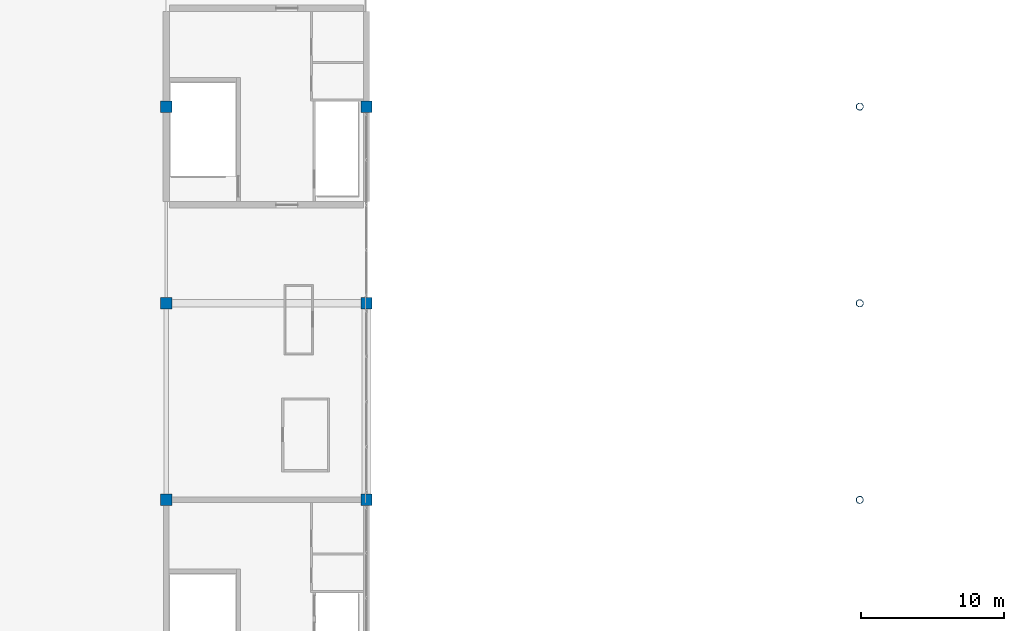
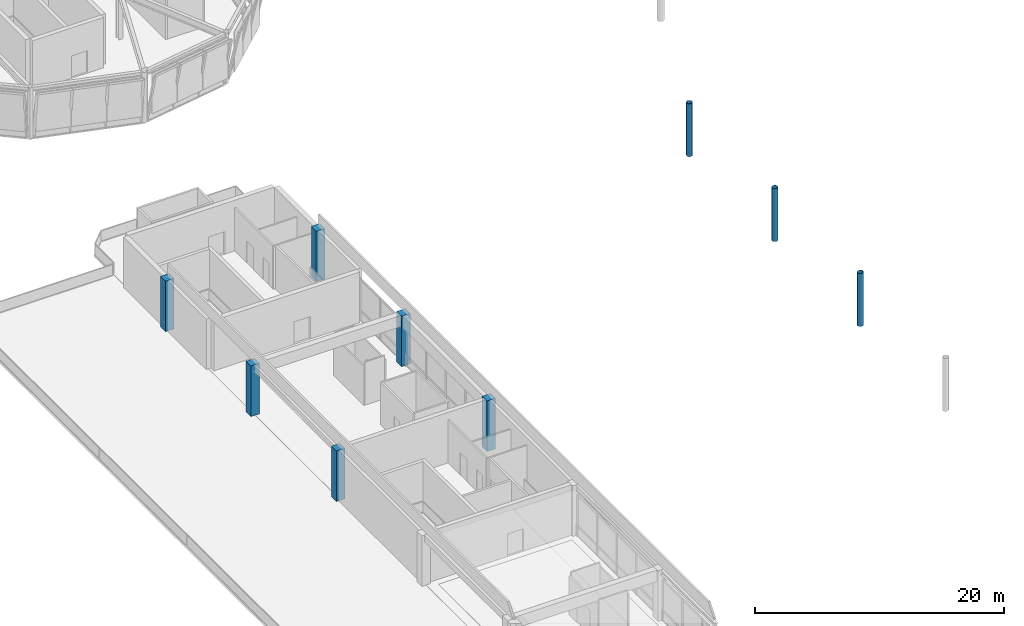
# One storey, part 3 of 113: 9 columns.
"""IFC4 building model written with IfcOpenShell, lengths in metres."""

from ifc_helpers import new_model, si_unit, direction, frame, origin, origin_2d, place, context, subcontext, project, spatial, rectangle, hollow_circle, extrude, material, material_profile, profile_set, type_object, element, save


model = new_model("IFC4")

# Units and contexts
model_context = context("Model", 3, precision=1e-05, world=origin(), true_north=direction((0.0, 1.0)))
body_context = subcontext(model_context, "Body", "Model", "MODEL_VIEW")
ifc_project = project(units=[si_unit("LENGTHUNIT", "METRE"), si_unit("AREAUNIT", "SQUARE_METRE"), si_unit("VOLUMEUNIT", "CUBIC_METRE"), si_unit("PLANEANGLEUNIT", "RADIAN"), si_unit("MASSUNIT", "GRAM", prefix="KILO")], contexts=[model_context])

# Site, building, storey
site_placement = place(None, origin())
site = spatial("IfcSite", under=ifc_project, at=site_placement, CompositionType="ELEMENT")
building_placement = place(site_placement, origin())
building = spatial("IfcBuilding", under=site, at=building_placement, Name="Linyun Crest Stadium", CompositionType="ELEMENT")
storey_placement = place(building_placement, frame((0.0, 0.0, 26.39990234375)))
storey = spatial("IfcBuildingStorey", under=building, at=storey_placement, Name="L06", CompositionType="ELEMENT", Elevation=26.39990234375)

# Columns
ifc_material_1 = material(Name="Concrete C50", Category="concrete")
ifc_material_profile_1 = material_profile(ifc_material_1, rectangle(XDim=0.800048828125, YDim=0.800048828125, at=origin_2d()), Name="RC 800x800")
ifc_profile_set_1 = profile_set([ifc_material_profile_1], Name="Concrete C50")
column_type_1 = type_object("IfcColumnType", Name="C03", PredefinedType="COLUMN", material=ifc_profile_set_1)
for number, where, z_axis, x_axis, name in (
    (1, (-84.0, 15.875, 0.0), (0.0, 0.0, 1.0), (1.0, 0.0, 0.0), "Column C03 L06 90"),
    (2, (-84.0, 29.625, 0.0), (0.0, 0.0, 1.0), (1.0, 0.0, 0.0), "Column C03 L06 97"),
    (3, (-84.0, 43.375, 0.0), (0.0, 0.0, 1.0), (1.0, 0.0, 0.0), "Column C03 L06 104"),
    (4, (-70.0, 15.875, 0.0), (0.0, 0.0, 1.0), (1.0, 0.0, 0.0), "Column C03 L06 186"),
    (5, (-70.0, 29.625, 0.0), (0.0, 0.0, 1.0), (1.0, 0.0, 0.0), "Column C03 L06 193"),
    (6, (-70.0, 43.375, 0.0), (0.0, 0.0, 1.0), (1.0, 0.0, 0.0), "Column C03 L06 200"),
):
    element("IfcColumn", number, at=place(storey_placement, frame(where, z_axis=z_axis, x_axis=x_axis)), inside=storey, type_object=column_type_1, Name=name, PredefinedType="COLUMN", context=body_context, shape_type="SweptSolid", body=[
        extrude(rectangle(XDim=0.800048828125, YDim=0.800048828125, at=origin_2d()), origin(), (0.0, 0.0, 1.0), 4.965087890625),
    ])
ifc_material_2 = material(Name="Steel Q355C", Category="steel")
ifc_material_profile_2 = material_profile(ifc_material_2, hollow_circle(Radius=0.25390625, WallThickness=0.02490234375, at=origin_2d()), Name="CHS 508x25")
ifc_profile_set_2 = profile_set([ifc_material_profile_2], Name="Steel Q355C")
column_type_2 = type_object("IfcColumnType", Name="SC05", PredefinedType="COLUMN", material=ifc_profile_set_2)
for number, where, z_axis, x_axis, name in (
    (7, (-35.5, 15.875, 0.0), (0.0, 0.0, 1.0), (1.0, 0.0, 0.0), "Arch colonnade column SC05 L06 12"),
    (8, (-35.5, 29.625, 0.0), (0.0, 0.0, 1.0), (1.0, 0.0, 0.0), "Arch colonnade column SC05 L06 14"),
    (9, (-35.5, 43.375, 0.0), (0.0, 0.0, 1.0), (1.0, 0.0, 0.0), "Arch colonnade column SC05 L06 16"),
):
    element("IfcColumn", number, at=place(storey_placement, frame(where, z_axis=z_axis, x_axis=x_axis)), inside=storey, type_object=column_type_2, Name=name, PredefinedType="COLUMN", context=body_context, shape_type="SweptSolid", body=[
        extrude(hollow_circle(Radius=0.25390625, WallThickness=0.02490234375, at=origin_2d()), origin(), (0.0, 0.0, 1.0), 5.2001953125),
    ])

save(model, "model.ifc")
